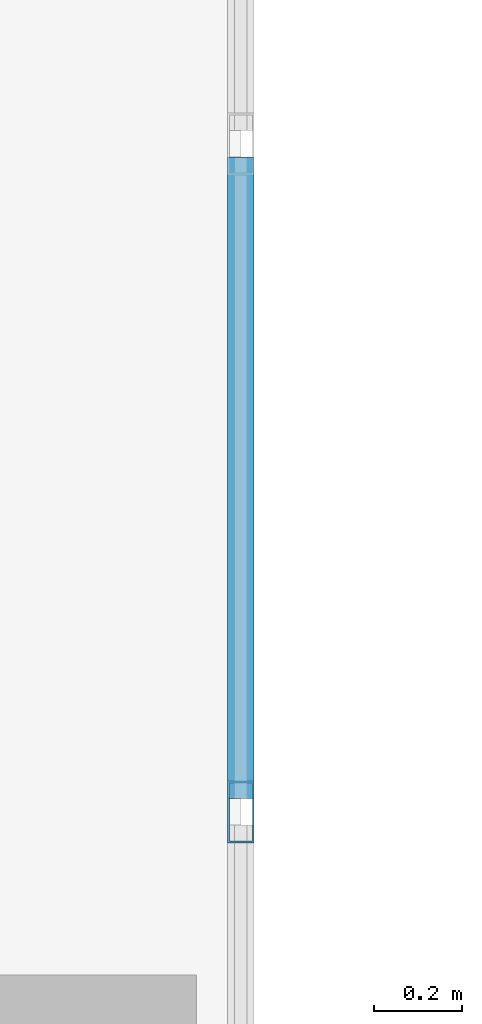
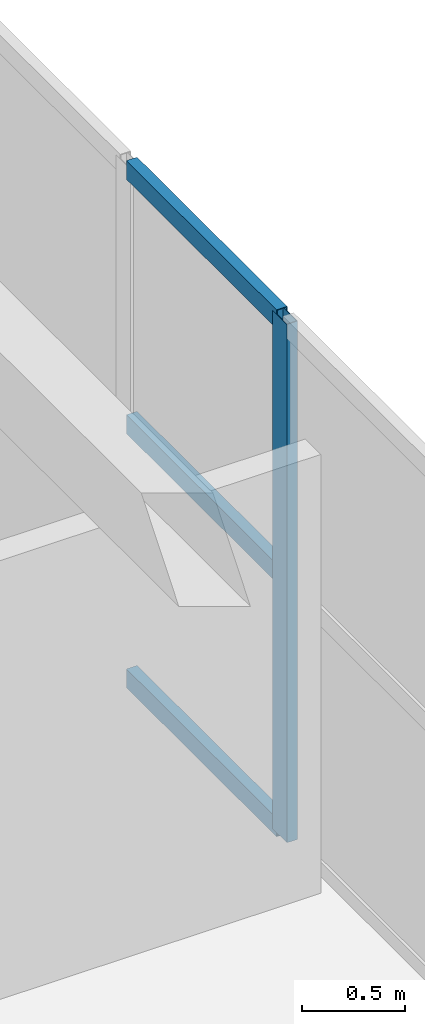
# One storey, part 75 of 148: 4 members, 1 element without a shape of its own.
"""IFC4 building model written with IfcOpenShell, lengths in metres."""

from ifc_helpers import new_model, si_unit, direction, frame, origin, origin_2d, place, context, subcontext, project, spatial, hollow_rectangle, extrude, material, layer, layer_set, material_profile, profile_set, type_object, element, aggregate, save


model = new_model("IFC4")

# Units and contexts
model_context = context("Model", 3, precision=1e-05, world=origin(), true_north=direction((0.0, 1.0)))
body_context = subcontext(model_context, "Body", "Model", "MODEL_VIEW")
ifc_project = project(units=[si_unit("LENGTHUNIT", "METRE"), si_unit("AREAUNIT", "SQUARE_METRE"), si_unit("VOLUMEUNIT", "CUBIC_METRE"), si_unit("PLANEANGLEUNIT", "RADIAN"), si_unit("MASSUNIT", "GRAM", prefix="KILO")], contexts=[model_context])

# Site, building, storey
site_placement = place(None, origin())
site = spatial("IfcSite", under=ifc_project, at=site_placement, CompositionType="ELEMENT")
building_placement = place(site_placement, origin())
building = spatial("IfcBuilding", under=site, at=building_placement, Name="Trelvath General Hospital", CompositionType="ELEMENT")
storey_placement = place(building_placement, frame((0.0, 0.0, 12.89990234375)))
storey = spatial("IfcBuildingStorey", under=building, at=storey_placement, Name="L03", CompositionType="ELEMENT", Elevation=12.89990234375)

# Curtain wall, members
ifc_material_1 = material(Name="Anodised aluminium and low-E glass", Category="aluminium")
ifc_layer = layer(ifc_material_1, 0.14990234375)
ifc_layer_set = layer_set([ifc_layer], Name="Anodised aluminium and low-E glass")
curtain_wall_type = type_object("IfcCurtainWallType", Name="CW CrystalCube 1664 306 15", PredefinedType="USERDEFINED", material=ifc_layer_set)
curtain_wall_placement = place(storey_placement, origin())
curtain_wall = element("IfcCurtainWall", 1, at=curtain_wall_placement, inside=storey, type_object=curtain_wall_type, Name="Crystal Cube Curtain Wall CUBE-E-T1 E3 L03", ObjectType="Unitised Glazed Curtain Wall", PredefinedType="USERDEFINED")
ifc_material_2 = material(Name="Anodised aluminium", Category="aluminium")
ifc_material_profile_1 = material_profile(ifc_material_2, hollow_rectangle(XDim=0.06005859375, YDim=0.139892578125, WallThickness=0.00390625, at=origin_2d()), Name="RHS60x140x4")
ifc_profile_set_1 = profile_set([ifc_material_profile_1], Name="Anodised aluminium")
member_type_1 = type_object("IfcMemberType", Name="CurtainMullion 60x140", PredefinedType="MULLION", material=ifc_profile_set_1)
member_1_placement = place(storey_placement, frame((114.800048828125, 64.094482421875, 0.0), z_axis=(0.0, 0.0, 1.0), x_axis=(1.0, 0.0, 0.0)))
member_1 = element("IfcMember", 2, at=member_1_placement, type_object=member_type_1, Name="CW-253 mullion 3", PredefinedType="MULLION", context=body_context, shape_type="SweptSolid", body=[
    extrude(hollow_rectangle(XDim=0.06005859375, YDim=0.139892578125, WallThickness=0.00390625, at=origin_2d()), origin(), (0.0, 0.0, 1.0), 3.06005859375),
])
ifc_material_3 = material(Name="Anodised aluminium", Category="aluminium")
ifc_material_profile_2 = material_profile(ifc_material_3, hollow_rectangle(XDim=0.06005859375, YDim=0.110107421875, WallThickness=0.00390625, at=origin_2d()), Name="RHS60x110x4")
ifc_profile_set_2 = profile_set([ifc_material_profile_2], Name="Anodised aluminium")
member_type_2 = type_object("IfcMemberType", Name="CurtainTransom 60x110", PredefinedType="USERDEFINED", material=ifc_profile_set_2)
member_2_placement = place(storey_placement, frame((114.800048828125, 65.577392578125, 0.030029296875), z_axis=(0.0, -1.0, 0.0), x_axis=(1.0, 0.0, 0.0)))
member_2 = element("IfcMember", 3, at=member_2_placement, type_object=member_type_2, Name="CW-253 transom 2.1", ObjectType="TRANSOM", PredefinedType="USERDEFINED", context=body_context, shape_type="SweptSolid", body=[
    extrude(hollow_rectangle(XDim=0.06005859375, YDim=0.110107421875, WallThickness=0.00390625, at=origin_2d()), origin(), (0.0, 0.0, 1.0), 1.452880859375),
])
member_3_placement = place(storey_placement, frame((114.800048828125, 65.577392578125, 1.530029296875), z_axis=(0.0, -1.0, 0.0), x_axis=(1.0, 0.0, 0.0)))
member_3 = element("IfcMember", 4, at=member_3_placement, type_object=member_type_2, Name="CW-253 transom 2.2", ObjectType="TRANSOM", PredefinedType="USERDEFINED", context=body_context, shape_type="SweptSolid", body=[
    extrude(hollow_rectangle(XDim=0.06005859375, YDim=0.110107421875, WallThickness=0.00390625, at=origin_2d()), origin(), (0.0, 0.0, 1.0), 1.452880859375),
])
member_4_placement = place(storey_placement, frame((114.800048828125, 65.577392578125, 3.030029296875), z_axis=(0.0, -1.0, 0.0), x_axis=(1.0, 0.0, 0.0)))
member_4 = element("IfcMember", 5, at=member_4_placement, type_object=member_type_2, Name="CW-253 transom 2.3", ObjectType="TRANSOM", PredefinedType="USERDEFINED", context=body_context, shape_type="SweptSolid", body=[
    extrude(hollow_rectangle(XDim=0.06005859375, YDim=0.110107421875, WallThickness=0.00390625, at=origin_2d()), origin(), (0.0, 0.0, 1.0), 1.452880859375),
])
aggregate(curtain_wall, [member_1, member_2, member_3, member_4])

save(model, "model.ifc")
